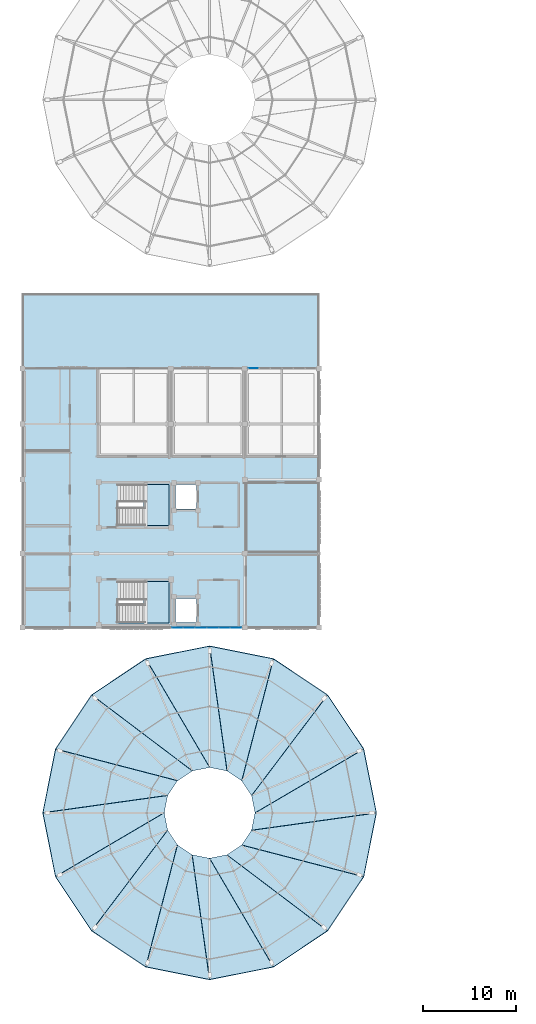
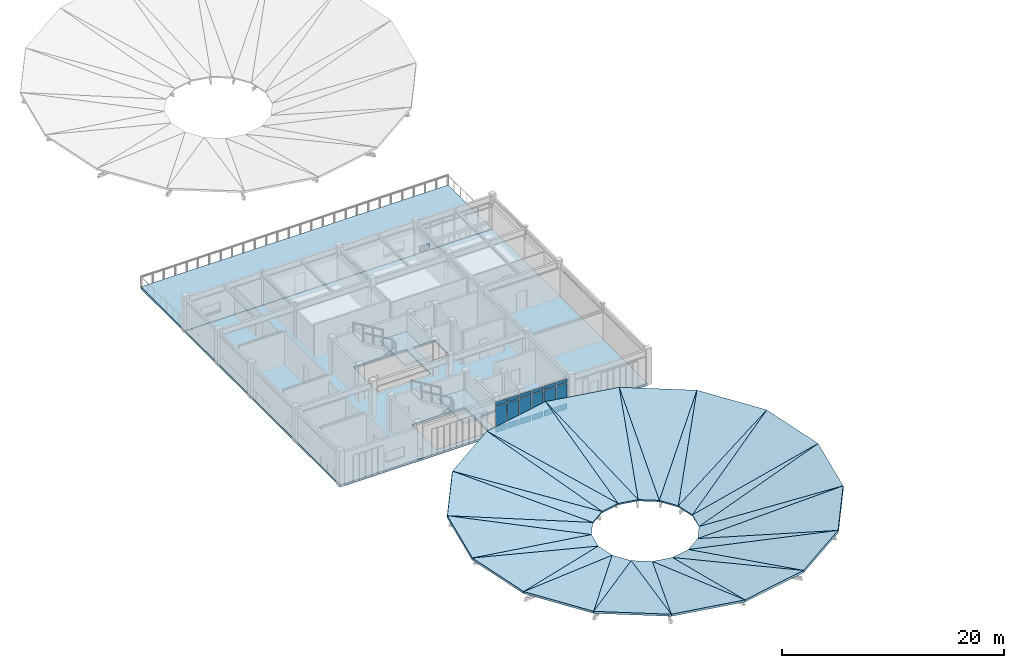
# One storey, part 20 of 31: 36 slabs, 19 plates, 4 elements without a shape of their own.
"""IFC4 building model written with IfcOpenShell, lengths in metres."""

from ifc_helpers import new_model, si_unit, direction, frame, origin, origin_2d, place, context, subcontext, project, spatial, polyline, rectangle, outline, extrude, material, layer, layer_set, type_object, element, aggregate, save


model = new_model("IFC4")

# Units and contexts
model_context = context("Model", 3, precision=1e-05, world=origin(), true_north=direction((0.0, 1.0)))
body_context = subcontext(model_context, "Body", "Model", "MODEL_VIEW")
ifc_project = project(units=[si_unit("LENGTHUNIT", "METRE"), si_unit("AREAUNIT", "SQUARE_METRE"), si_unit("VOLUMEUNIT", "CUBIC_METRE"), si_unit("PLANEANGLEUNIT", "RADIAN"), si_unit("MASSUNIT", "GRAM", prefix="KILO")], contexts=[model_context])

# Site, building, storey
site_placement = place(None, origin())
site = spatial("IfcSite", under=ifc_project, at=site_placement, CompositionType="ELEMENT")
building_placement = place(site_placement, origin())
building = spatial("IfcBuilding", under=site, at=building_placement, Name="Celadon Cloister-Ring School", CompositionType="ELEMENT")
storey_placement = place(building_placement, frame((0.0, 0.0, 16.5)))
storey = spatial("IfcBuildingStorey", under=building, at=storey_placement, Name="L04", CompositionType="ELEMENT", Elevation=16.5)

# Curtain wall, plate
ifc_material_1 = material(Name="Aluminium EN AW-6063 T6", Category="aluminium")
curtain_wall_type_1 = type_object("IfcCurtainWallType", Name="CW-16", PredefinedType="USERDEFINED", material=ifc_material_1)
curtain_wall_1_placement = place(storey_placement, origin())
curtain_wall_1 = element("IfcCurtainWall", 1, at=curtain_wall_1_placement, inside=storey, type_object=curtain_wall_type_1, Name="Curtain Wall 0207", ObjectType="CURTAIN WALL", PredefinedType="USERDEFINED")
ifc_material_2 = material(Name="Tempered laminated insulating glass", Category="glass")
ifc_layer_1 = layer(ifc_material_2, 0.02001953125)
ifc_layer_set_1 = layer_set([ifc_layer_1], Name="Tempered laminated insulating glass")
plate_type = type_object("IfcPlateType", Name="CPN-01", PredefinedType="CURTAIN_PANEL", material=ifc_layer_set_1)
plate_1_placement = place(storey_placement, frame((24.92333984375, 68.0, 0.10498046875), z_axis=(0.0, 0.0, 1.0), x_axis=(1.0, 0.0, 0.0)))
plate_1 = element("IfcPlate", 2, at=plate_1_placement, type_object=plate_type, Name="CW-16 panel 1.1", PredefinedType="CURTAIN_PANEL", context=body_context, shape_type="SweptSolid", body=[
    extrude(rectangle(XDim=1.07666015625, YDim=0.02001953125, at=origin_2d()), origin(), (0.0, 0.0, 1.0), 0.642578125),
])
aggregate(curtain_wall_1, [plate_1])

# Curtain wall, plates
ifc_material_3 = material(Name="Aluminium EN AW-6063 T6", Category="aluminium")
curtain_wall_type_2 = type_object("IfcCurtainWallType", Name="CW-17", PredefinedType="USERDEFINED", material=ifc_material_3)
curtain_wall_2_placement = place(storey_placement, origin())
curtain_wall_2 = element("IfcCurtainWall", 3, at=curtain_wall_2_placement, inside=storey, type_object=curtain_wall_type_2, Name="Curtain Wall 0208", ObjectType="CURTAIN WALL", PredefinedType="USERDEFINED")
plate_2_placement = place(storey_placement, frame((23.058837890625, 40.0, 0.10498046875), z_axis=(0.0, 0.0, 1.0), x_axis=(-1.0, 0.0, 0.0)))
plate_2 = element("IfcPlate", 4, at=plate_2_placement, type_object=plate_type, Name="CW-17 panel 1.1", PredefinedType="CURTAIN_PANEL", context=body_context, shape_type="SweptSolid", body=[
    extrude(rectangle(XDim=1.112548828125, YDim=0.02001953125, at=origin_2d()), origin(), (0.0, 0.0, 1.0), 0.642578125),
])
plate_3_placement = place(storey_placement, frame((23.058837890625, 40.0, 0.8525390625), z_axis=(0.0, 0.0, 1.0), x_axis=(-1.0, 0.0, 0.0)))
plate_3 = element("IfcPlate", 5, at=plate_3_placement, type_object=plate_type, Name="CW-17 panel 1.2", PredefinedType="CURTAIN_PANEL", context=body_context, shape_type="SweptSolid", body=[
    extrude(rectangle(XDim=1.112548828125, YDim=0.02001953125, at=origin_2d()), origin(), (0.0, 0.0, 1.0), 2.094970703125),
])
plate_4_placement = place(storey_placement, frame((23.058837890625, 40.0, 3.052490234375), z_axis=(0.0, 0.0, 1.0), x_axis=(-1.0, 0.0, 0.0)))
plate_4 = element("IfcPlate", 6, at=plate_4_placement, type_object=plate_type, Name="CW-17 panel 1.3", PredefinedType="CURTAIN_PANEL", context=body_context, shape_type="SweptSolid", body=[
    extrude(rectangle(XDim=1.112548828125, YDim=0.02001953125, at=origin_2d()), origin(), (0.0, 0.0, 1.0), 0.392578125),
])
plate_5_placement = place(storey_placement, frame((21.808837890625, 40.0, 0.10498046875), z_axis=(0.0, 0.0, 1.0), x_axis=(-1.0, 0.0, 0.0)))
plate_5 = element("IfcPlate", 7, at=plate_5_placement, type_object=plate_type, Name="CW-17 panel 2.1", PredefinedType="CURTAIN_PANEL", context=body_context, shape_type="SweptSolid", body=[
    extrude(rectangle(XDim=1.16748046875, YDim=0.02001953125, at=origin_2d()), origin(), (0.0, 0.0, 1.0), 0.642578125),
])
plate_6_placement = place(storey_placement, frame((21.808837890625, 40.0, 0.8525390625), z_axis=(0.0, 0.0, 1.0), x_axis=(-1.0, 0.0, 0.0)))
plate_6 = element("IfcPlate", 8, at=plate_6_placement, type_object=plate_type, Name="CW-17 panel 2.2", PredefinedType="CURTAIN_PANEL", context=body_context, shape_type="SweptSolid", body=[
    extrude(rectangle(XDim=1.16748046875, YDim=0.02001953125, at=origin_2d()), origin(), (0.0, 0.0, 1.0), 2.094970703125),
])
plate_7_placement = place(storey_placement, frame((21.808837890625, 40.0, 3.052490234375), z_axis=(0.0, 0.0, 1.0), x_axis=(-1.0, 0.0, 0.0)))
plate_7 = element("IfcPlate", 9, at=plate_7_placement, type_object=plate_type, Name="CW-17 panel 2.3", PredefinedType="CURTAIN_PANEL", context=body_context, shape_type="SweptSolid", body=[
    extrude(rectangle(XDim=1.16748046875, YDim=0.02001953125, at=origin_2d()), origin(), (0.0, 0.0, 1.0), 0.392578125),
])
plate_8_placement = place(storey_placement, frame((20.53125, 40.0, 0.10498046875), z_axis=(0.0, 0.0, 1.0), x_axis=(-1.0, 0.0, 0.0)))
plate_8 = element("IfcPlate", 10, at=plate_8_placement, type_object=plate_type, Name="CW-17 panel 3.1", PredefinedType="CURTAIN_PANEL", context=body_context, shape_type="SweptSolid", body=[
    extrude(rectangle(XDim=1.16748046875, YDim=0.02001953125, at=origin_2d()), origin(), (0.0, 0.0, 1.0), 0.642578125),
])
plate_9_placement = place(storey_placement, frame((20.53125, 40.0, 0.8525390625), z_axis=(0.0, 0.0, 1.0), x_axis=(-1.0, 0.0, 0.0)))
plate_9 = element("IfcPlate", 11, at=plate_9_placement, type_object=plate_type, Name="CW-17 panel 3.2", PredefinedType="CURTAIN_PANEL", context=body_context, shape_type="SweptSolid", body=[
    extrude(rectangle(XDim=1.16748046875, YDim=0.02001953125, at=origin_2d()), origin(), (0.0, 0.0, 1.0), 2.094970703125),
])
plate_10_placement = place(storey_placement, frame((20.53125, 40.0, 3.052490234375), z_axis=(0.0, 0.0, 1.0), x_axis=(-1.0, 0.0, 0.0)))
plate_10 = element("IfcPlate", 12, at=plate_10_placement, type_object=plate_type, Name="CW-17 panel 3.3", PredefinedType="CURTAIN_PANEL", context=body_context, shape_type="SweptSolid", body=[
    extrude(rectangle(XDim=1.16748046875, YDim=0.02001953125, at=origin_2d()), origin(), (0.0, 0.0, 1.0), 0.392578125),
])
plate_11_placement = place(storey_placement, frame((19.253662109375, 40.0, 0.10498046875), z_axis=(0.0, 0.0, 1.0), x_axis=(-1.0, 0.0, 0.0)))
plate_11 = element("IfcPlate", 13, at=plate_11_placement, type_object=plate_type, Name="CW-17 panel 4.1", PredefinedType="CURTAIN_PANEL", context=body_context, shape_type="SweptSolid", body=[
    extrude(rectangle(XDim=1.16748046875, YDim=0.02001953125, at=origin_2d()), origin(), (0.0, 0.0, 1.0), 0.642578125),
])
plate_12_placement = place(storey_placement, frame((19.253662109375, 40.0, 0.8525390625), z_axis=(0.0, 0.0, 1.0), x_axis=(-1.0, 0.0, 0.0)))
plate_12 = element("IfcPlate", 14, at=plate_12_placement, type_object=plate_type, Name="CW-17 panel 4.2", PredefinedType="CURTAIN_PANEL", context=body_context, shape_type="SweptSolid", body=[
    extrude(rectangle(XDim=1.16748046875, YDim=0.02001953125, at=origin_2d()), origin(), (0.0, 0.0, 1.0), 2.094970703125),
])
plate_13_placement = place(storey_placement, frame((19.253662109375, 40.0, 3.052490234375), z_axis=(0.0, 0.0, 1.0), x_axis=(-1.0, 0.0, 0.0)))
plate_13 = element("IfcPlate", 15, at=plate_13_placement, type_object=plate_type, Name="CW-17 panel 4.3", PredefinedType="CURTAIN_PANEL", context=body_context, shape_type="SweptSolid", body=[
    extrude(rectangle(XDim=1.16748046875, YDim=0.02001953125, at=origin_2d()), origin(), (0.0, 0.0, 1.0), 0.392578125),
])
plate_14_placement = place(storey_placement, frame((17.976318359375, 40.0, 0.10498046875), z_axis=(0.0, 0.0, 1.0), x_axis=(-1.0, 0.0, 0.0)))
plate_14 = element("IfcPlate", 16, at=plate_14_placement, type_object=plate_type, Name="CW-17 panel 5.1", PredefinedType="CURTAIN_PANEL", context=body_context, shape_type="SweptSolid", body=[
    extrude(rectangle(XDim=1.16748046875, YDim=0.02001953125, at=origin_2d()), origin(), (0.0, 0.0, 1.0), 0.642578125),
])
plate_15_placement = place(storey_placement, frame((17.976318359375, 40.0, 0.8525390625), z_axis=(0.0, 0.0, 1.0), x_axis=(-1.0, 0.0, 0.0)))
plate_15 = element("IfcPlate", 17, at=plate_15_placement, type_object=plate_type, Name="CW-17 panel 5.2", PredefinedType="CURTAIN_PANEL", context=body_context, shape_type="SweptSolid", body=[
    extrude(rectangle(XDim=1.16748046875, YDim=0.02001953125, at=origin_2d()), origin(), (0.0, 0.0, 1.0), 2.094970703125),
])
plate_16_placement = place(storey_placement, frame((17.976318359375, 40.0, 3.052490234375), z_axis=(0.0, 0.0, 1.0), x_axis=(-1.0, 0.0, 0.0)))
plate_16 = element("IfcPlate", 18, at=plate_16_placement, type_object=plate_type, Name="CW-17 panel 5.3", PredefinedType="CURTAIN_PANEL", context=body_context, shape_type="SweptSolid", body=[
    extrude(rectangle(XDim=1.16748046875, YDim=0.02001953125, at=origin_2d()), origin(), (0.0, 0.0, 1.0), 0.392578125),
])
plate_17_placement = place(storey_placement, frame((16.726318359375, 40.0, 0.10498046875), z_axis=(0.0, 0.0, 1.0), x_axis=(-1.0, 0.0, 0.0)))
plate_17 = element("IfcPlate", 19, at=plate_17_placement, type_object=plate_type, Name="CW-17 panel 6.1", PredefinedType="CURTAIN_PANEL", context=body_context, shape_type="SweptSolid", body=[
    extrude(rectangle(XDim=1.112548828125, YDim=0.02001953125, at=origin_2d()), origin(), (0.0, 0.0, 1.0), 0.642578125),
])
plate_18_placement = place(storey_placement, frame((16.726318359375, 40.0, 0.8525390625), z_axis=(0.0, 0.0, 1.0), x_axis=(-1.0, 0.0, 0.0)))
plate_18 = element("IfcPlate", 20, at=plate_18_placement, type_object=plate_type, Name="CW-17 panel 6.2", PredefinedType="CURTAIN_PANEL", context=body_context, shape_type="SweptSolid", body=[
    extrude(rectangle(XDim=1.112548828125, YDim=0.02001953125, at=origin_2d()), origin(), (0.0, 0.0, 1.0), 2.094970703125),
])
plate_19_placement = place(storey_placement, frame((16.726318359375, 40.0, 3.052490234375), z_axis=(0.0, 0.0, 1.0), x_axis=(-1.0, 0.0, 0.0)))
plate_19 = element("IfcPlate", 21, at=plate_19_placement, type_object=plate_type, Name="CW-17 panel 6.3", PredefinedType="CURTAIN_PANEL", context=body_context, shape_type="SweptSolid", body=[
    extrude(rectangle(XDim=1.112548828125, YDim=0.02001953125, at=origin_2d()), origin(), (0.0, 0.0, 1.0), 0.392578125),
])
aggregate(curtain_wall_2, [plate_2, plate_3, plate_4, plate_5, plate_6, plate_7, plate_8, plate_9, plate_10, plate_11, plate_12, plate_13, plate_14, plate_15, plate_16, plate_17, plate_18, plate_19])

# Slab
ifc_material_4 = material(Name="Concrete C35/45", Category="concrete")
ifc_layer_2 = layer(ifc_material_4, 0.239990234375)
ifc_layer_set_2 = layer_set([ifc_layer_2], Name="Concrete C35/45")
slab_type_1 = type_object("IfcSlabType", Name="SL-FL3", PredefinedType="FLOOR", material=ifc_layer_set_2)
slab_1_placement = place(storey_placement, frame((0.0, 0.0, -0.239990234375)))
element("IfcSlab", 22, at=slab_1_placement, inside=storey, type_object=slab_type_1, Name="Science Wing L04 Slab 0074", PredefinedType="FLOOR", context=body_context, shape_type="SweptSolid", body=[
    extrude(outline(polyline([(0.0, 68.0), (32.0, 68.0), (32.0, 40.0), (0.0, 40.0), (0.0, 68.0)]), holes=[polyline([(16.530029296875, 43.169921875), (16.530029296875, 40.530029296875), (18.77001953125, 40.530029296875), (18.77001953125, 43.169921875), (16.530029296875, 43.169921875)]), polyline([(10.2900390625, 44.97998046875), (10.2900390625, 40.52001953125), (15.830078125, 40.52001953125), (15.830078125, 44.97998046875), (10.2900390625, 44.97998046875)]), polyline([(10.2900390625, 55.47998046875), (10.2900390625, 51.02001953125), (15.830078125, 51.02001953125), (15.830078125, 55.47998046875), (10.2900390625, 55.47998046875)]), polyline([(16.530029296875, 55.469970703125), (16.530029296875, 52.830078125), (18.77001953125, 52.830078125), (18.77001953125, 55.469970703125), (16.530029296875, 55.469970703125)])]), origin(), (0.0, 0.0, 1.0), 0.239990234375),
])

# Stair, slab
ifc_material_5 = material(Name="Concrete C35/45", Category="concrete")
stair_type_1 = type_object("IfcStairType", Name="ST-02", PredefinedType="HALF_TURN_STAIR", material=ifc_material_5)
stair_1_placement = place(storey_placement, origin())
stair_1 = element("IfcStair", 23, at=stair_1_placement, inside=storey, type_object=stair_type_1, Name="Exit Stair ST-V5A L04", PredefinedType="HALF_TURN_STAIR")
ifc_material_6 = material(Name="Concrete C35/45", Category="concrete")
ifc_layer_3 = layer(ifc_material_6, 0.280029296875)
ifc_layer_set_3 = layer_set([ifc_layer_3], Name="Concrete C35/45")
slab_type_2 = type_object("IfcSlabType", Name="SL-LD1", PredefinedType="LANDING", material=ifc_layer_set_3)
slab_2_placement = place(storey_placement, frame((0.0, 0.0, 1.719970703125)))
slab_2 = element("IfcSlab", 24, at=slab_2_placement, type_object=slab_type_2, Name="ST-02 landing 1", PredefinedType="LANDING", context=body_context, shape_type="SweptSolid", body=[
    extrude(outline(polyline([(13.080078125, 40.52001953125), (15.830078125, 40.52001953125), (15.830078125, 44.97998046875), (13.080078125, 44.97998046875), (13.080078125, 40.52001953125)])), origin(), (0.0, 0.0, 1.0), 0.280029296875),
])
aggregate(stair_1, [slab_2])

ifc_material_7 = material(Name="Concrete C35/45", Category="concrete")
stair_type_2 = type_object("IfcStairType", Name="ST-04", PredefinedType="HALF_TURN_STAIR", material=ifc_material_7)
stair_2_placement = place(storey_placement, origin())
stair_2 = element("IfcStair", 25, at=stair_2_placement, inside=storey, type_object=stair_type_2, Name="Exit Stair ST-V5B L04", PredefinedType="HALF_TURN_STAIR")
ifc_material_8 = material(Name="Concrete C35/45", Category="concrete")
ifc_layer_4 = layer(ifc_material_8, 0.300048828125)
ifc_layer_set_4 = layer_set([ifc_layer_4], Name="Concrete C35/45")
slab_type_3 = type_object("IfcSlabType", Name="SL-LD2", PredefinedType="LANDING", material=ifc_layer_set_4)
slab_3_placement = place(storey_placement, frame((0.0, 0.0, 1.699951171875)))
slab_3 = element("IfcSlab", 26, at=slab_3_placement, type_object=slab_type_3, Name="ST-04 landing 1", PredefinedType="LANDING", context=body_context, shape_type="SweptSolid", body=[
    extrude(outline(polyline([(13.080078125, 51.02001953125), (15.830078125, 51.02001953125), (15.830078125, 55.47998046875), (13.080078125, 55.47998046875), (13.080078125, 51.02001953125)])), origin(), (0.0, 0.0, 1.0), 0.300048828125),
])
aggregate(stair_2, [slab_3])

# Slabs
ifc_material_9 = material(Name="Concrete C35/45", Category="concrete")
ifc_layer_5 = layer(ifc_material_9, 0.199951171875)
ifc_layer_set_5 = layer_set([ifc_layer_5], Name="Concrete C35/45")
slab_type_4 = type_object("IfcSlabType", Name="SL-RF2", PredefinedType="ROOF", material=ifc_layer_set_5)
slab_4_placement = place(storey_placement, frame((25.10009765625, 20.0, 0.050048828125), z_axis=(-0.242249727938, -0.048178613528, 0.96901697122), x_axis=(0.970143563693, 0.0, 0.242531370807)))
element("IfcSlab", 27, at=slab_4_placement, inside=storey, type_object=slab_type_4, Name="V5a Conical Roof Inner Tri 0173", PredefinedType="ROOF", context=body_context, shape_type="SweptSolid", body=[
    extrude(outline(polyline([(0.0, 0.0), (13.503005128190239, 2.7755575615628914e-17), (12.174031608688175, 6.8959474663698535), (0.0, 0.0)])), origin(), (0.0, 0.0, -1.0), 0.199951171875),
])
slab_5_placement = place(storey_placement, frame((25.10009765625, 20.0, 0.050048828125), z_axis=(-0.242240131496, -0.048195692829, 0.96901852092), x_axis=(0.838366757438, 0.492295744237, 0.234064265168)))
element("IfcSlab", 28, at=slab_5_placement, inside=storey, type_object=slab_type_4, Name="V5a Conical Roof Outer Tri 0174", PredefinedType="ROOF", context=body_context, shape_type="SweptSolid", body=[
    extrude(outline(polyline([(0.0, 0.0), (13.99146658032215, 8.881784197001252e-16), (0.6103044214779192, 1.811716722910005), (0.0, 0.0)])), origin(), (0.0, 0.0, -1.0), 0.199951171875),
])
slab_6_placement = place(storey_placement, frame((24.72705078125, 21.875, 0.050048828125), z_axis=(-0.205367817039, -0.137218085353, 0.969017676194), x_axis=(0.896304625233, 0.371239417233, 0.242526934338)))
element("IfcSlab", 29, at=slab_6_placement, inside=storey, type_object=slab_type_4, Name="V5a Conical Roof Inner Tri 0175", PredefinedType="ROOF", context=body_context, shape_type="SweptSolid", body=[
    extrude(outline(polyline([(0.0, 0.0), (13.503252134406608, 1.1657341758564144e-15), (12.173853031509752, 6.896789539845793), (0.0, 0.0)])), origin(), (0.0, 0.0, -1.0), 0.199951171875),
])
slab_7_placement = place(storey_placement, frame((24.72705078125, 21.875, 0.050048828125), z_axis=(-0.205404925005, -0.137188918128, 0.969013940832), x_axis=(0.58612694281, 0.775674648438, 0.234059921135)))
element("IfcSlab", 30, at=slab_7_placement, inside=storey, type_object=slab_type_4, Name="V5a Conical Roof Outer Tri 0176", PredefinedType="ROOF", context=body_context, shape_type="SweptSolid", body=[
    extrude(outline(polyline([(0.0, 0.0), (13.991726254816648, -2.7755575615628914e-16), (0.6109171836068602, 1.8119129629892416), (0.0, 0.0)])), origin(), (0.0, 0.0, -1.0), 0.199951171875),
])
slab_8_placement = place(storey_placement, frame((23.6650390625, 23.465087890625, 0.050048828125), z_axis=(-0.137216373622, -0.205378104957, 0.969015738166), x_axis=(0.685994849534, 0.685994849534, 0.242532745886)))
element("IfcSlab", 31, at=slab_8_placement, inside=storey, type_object=slab_type_4, Name="V5a Conical Roof Inner Tri 0177", PredefinedType="ROOF", context=body_context, shape_type="SweptSolid", body=[
    extrude(outline(polyline([(0.0, 0.0), (13.50292857070712, 9.992007221626409e-16), (12.17331111210186, 6.896609317846788), (0.0, 0.0)])), origin(), (0.0, 0.0, -1.0), 0.199951171875),
])
slab_9_placement = place(storey_placement, frame((23.6650390625, 23.465087890625, 0.050048828125), z_axis=(-0.137178162198, -0.205388820781, 0.969018877068), x_axis=(0.244643769116, 0.940936231245, 0.234069295216)))
element("IfcSlab", 32, at=slab_9_placement, inside=storey, type_object=slab_type_4, Name="V5a Conical Roof Outer Tri 0178", PredefinedType="ROOF", context=body_context, shape_type="SweptSolid", body=[
    extrude(outline(polyline([(0.0, 0.0), (13.99116590978156, 2.220446049250313e-16), (0.6102802093901365, 1.8121276049719353), (0.0, 0.0)])), origin(), (0.0, 0.0, -1.0), 0.199951171875),
])
slab_10_placement = place(storey_placement, frame((22.074951171875, 24.527099609375, 0.050048828125), z_axis=(-0.048186901959, -0.242248229682, 0.969016933647), x_axis=(0.371245433368, 0.896301069904, 0.242530864618)))
element("IfcSlab", 33, at=slab_10_placement, inside=storey, type_object=slab_type_4, Name="V5a Conical Roof Inner Tri 0179", PredefinedType="ROOF", context=body_context, shape_type="SweptSolid", body=[
    extrude(outline(polyline([(0.0, 0.0), (13.503033310469212, -2.7755575615628914e-17), (12.173954744232965, 6.895975723722513), (0.0, 0.0)])), origin(), (0.0, 0.0, -1.0), 0.199951171875),
])
slab_11_placement = place(storey_placement, frame((22.074951171875, 24.527099609375, 0.050048828125), z_axis=(-0.048165245427, -0.242245635154, 0.969018658944), x_axis=(-0.13401076188, 0.962940611241, 0.234065151023)))
element("IfcSlab", 34, at=slab_11_placement, inside=storey, type_object=slab_type_4, Name="V5a Conical Roof Outer Tri 0180", PredefinedType="ROOF", context=body_context, shape_type="SweptSolid", body=[
    extrude(outline(polyline([(0.0, 0.0), (13.991413627536087, -6.661338147750939e-16), (0.6102570714357922, 1.8116824185049891), (0.0, 0.0)])), origin(), (0.0, 0.0, -1.0), 0.199951171875),
])
slab_12_placement = place(storey_placement, frame((20.199951171875, 24.89990234375, 0.050048828125), z_axis=(0.048186336792, -0.242245388437, 0.969017672041), x_axis=(0.0, 0.970144627184, 0.242527116722)))
element("IfcSlab", 35, at=slab_12_placement, inside=storey, type_object=slab_type_4, Name="V5a Conical Roof Inner Tri 0181", PredefinedType="ROOF", context=body_context, shape_type="SweptSolid", body=[
    extrude(outline(polyline([(0.0, 0.0), (13.50324197977604, -2.7755575615628914e-17), (12.174030151709973, 6.895950038502895), (0.0, 0.0)])), origin(), (0.0, 0.0, -1.0), 0.199951171875),
])
slab_13_placement = place(storey_placement, frame((20.199951171875, 24.89990234375, 0.050048828125), z_axis=(0.048167320766, -0.242256073007, 0.969015946361), x_axis=(-0.492295744237, 0.838366757438, 0.234064265168)))
element("IfcSlab", 36, at=slab_13_placement, inside=storey, type_object=slab_type_4, Name="V5a Conical Roof Outer Tri 0182", PredefinedType="ROOF", context=body_context, shape_type="SweptSolid", body=[
    extrude(outline(polyline([(0.0, 0.0), (13.99146658032215, 8.326672684688674e-16), (0.6105091008620595, 1.8115975040063608), (0.0, 0.0)])), origin(), (0.0, 0.0, -1.0), 0.199951171875),
])
slab_14_placement = place(storey_placement, frame((18.324951171875, 24.527099609375, 0.050048828125), z_axis=(0.137213444721, -0.205373721135, 0.969017082024), x_axis=(-0.371245433368, 0.896301069904, 0.242530864618)))
element("IfcSlab", 37, at=slab_14_placement, inside=storey, type_object=slab_type_4, Name="V5a Conical Roof Inner Tri 0183", PredefinedType="ROOF", context=body_context, shape_type="SweptSolid", body=[
    extrude(outline(polyline([(0.0, 0.0), (13.503033310469212, -4.996003610813204e-16), (12.173902039078333, 6.896703033526231), (0.0, 0.0)])), origin(), (0.0, 0.0, -1.0), 0.199951171875),
])
slab_15_placement = place(storey_placement, frame((18.324951171875, 24.527099609375, 0.050048828125), z_axis=(0.137200306651, -0.205390436072, 0.969015399581), x_axis=(-0.775674648438, 0.58612694281, 0.234059921135)))
element("IfcSlab", 38, at=slab_15_placement, inside=storey, type_object=slab_type_4, Name="V5a Conical Roof Outer Tri 0184", PredefinedType="ROOF", context=body_context, shape_type="SweptSolid", body=[
    extrude(outline(polyline([(0.0, 0.0), (13.991726254816648, 3.885780586188048e-16), (0.6107278099133938, 1.8117625623615203), (0.0, 0.0)])), origin(), (0.0, 0.0, -1.0), 0.199951171875),
])
slab_16_placement = place(storey_placement, frame((16.735107421875, 23.465087890625, 0.050048828125), z_axis=(0.205375057942, -0.137214337863, 0.96901667223), x_axis=(-0.686004421409, 0.685986341064, 0.242529737725)))
element("IfcSlab", 39, at=slab_16_placement, inside=storey, type_object=slab_type_4, Name="V5a Conical Roof Inner Tri 0185", PredefinedType="ROOF", context=body_context, shape_type="SweptSolid", body=[
    extrude(outline(polyline([(0.0, 0.0), (13.503096051086882, -9.43689570931383e-16), (12.173565630762715, 6.896626097641635), (0.0, 0.0)])), origin(), (0.0, 0.0, -1.0), 0.199951171875),
])
slab_17_placement = place(storey_placement, frame((16.735107421875, 23.465087890625, 0.050048828125), z_axis=(0.205385773438, -0.137176126893, 0.969019811087), x_axis=(-0.940938231604, 0.244639752375, 0.234065452094)))
element("IfcSlab", 40, at=slab_17_placement, inside=storey, type_object=slab_type_4, Name="V5a Conical Roof Outer Tri 0186", PredefinedType="ROOF", context=body_context, shape_type="SweptSolid", body=[
    extrude(outline(polyline([(0.0, 0.0), (13.99139563078533, 5.551115123125783e-16), (0.6102887207656729, 1.8121247385267907), (0.0, 0.0)])), origin(), (0.0, 0.0, -1.0), 0.199951171875),
])
slab_18_placement = place(storey_placement, frame((15.673095703125, 21.875, 0.050048828125), z_axis=(0.242243990452, -0.048186058711, 0.969018035351), x_axis=(-0.896304625233, 0.371239417233, 0.242526934338)))
element("IfcSlab", 41, at=slab_18_placement, inside=storey, type_object=slab_type_4, Name="V5a Conical Roof Inner Tri 0187", PredefinedType="ROOF", context=body_context, shape_type="SweptSolid", body=[
    extrude(outline(polyline([(0.0, 0.0), (13.503252134406608, -8.881784197001252e-16), (12.174219878160375, 6.895984649000887), (0.0, 0.0)])), origin(), (0.0, 0.0, -1.0), 0.199951171875),
])
slab_19_placement = place(storey_placement, frame((15.673095703125, 21.875, 0.050048828125), z_axis=(0.242245267003, -0.048196714581, 0.969017186286), x_axis=(-0.962941880566, -0.134008510179, 0.23406121817)))
element("IfcSlab", 42, at=slab_19_placement, inside=storey, type_object=slab_type_4, Name="V5a Conical Roof Outer Tri 0188", PredefinedType="ROOF", context=body_context, shape_type="SweptSolid", body=[
    extrude(outline(polyline([(0.0, 0.0), (13.991648720613703, 1.1102230246251565e-16), (0.6104884159378391, 1.811654731165123), (0.0, 0.0)])), origin(), (0.0, 0.0, -1.0), 0.199951171875),
])
slab_20_placement = place(storey_placement, frame((15.300048828125, 20.0, 0.050048828125), z_axis=(0.242245388437, 0.048186336792, 0.969017672041), x_axis=(-0.970144627184, 0.0, 0.242527116722)))
element("IfcSlab", 43, at=slab_20_placement, inside=storey, type_object=slab_type_4, Name="V5a Conical Roof Inner Tri 0189", PredefinedType="ROOF", context=body_context, shape_type="SweptSolid", body=[
    extrude(outline(polyline([(0.0, 0.0), (13.50324197977604, -2.7755575615628914e-17), (12.174030151709973, 6.895950038502895), (0.0, 0.0)])), origin(), (0.0, 0.0, -1.0), 0.199951171875),
])
slab_21_placement = place(storey_placement, frame((15.300048828125, 20.0, 0.050048828125), z_axis=(0.242240131496, 0.048195692829, 0.96901852092), x_axis=(-0.838366757438, -0.492295744237, 0.234064265168)))
element("IfcSlab", 44, at=slab_21_placement, inside=storey, type_object=slab_type_4, Name="V5a Conical Roof Outer Tri 0190", PredefinedType="ROOF", context=body_context, shape_type="SweptSolid", body=[
    extrude(outline(polyline([(0.0, 0.0), (13.99146658032215, 8.881784197001252e-16), (0.6103044214779192, 1.811716722910005), (0.0, 0.0)])), origin(), (0.0, 0.0, -1.0), 0.199951171875),
])
slab_22_placement = place(storey_placement, frame((15.673095703125, 18.125, 0.050048828125), z_axis=(0.205370674246, 0.137211409046, 0.969018016028), x_axis=(-0.896304625233, -0.371239417233, 0.242526934338)))
element("IfcSlab", 45, at=slab_22_placement, inside=storey, type_object=slab_type_4, Name="V5a Conical Roof Inner Tri 0191", PredefinedType="ROOF", context=body_context, shape_type="SweptSolid", body=[
    extrude(outline(polyline([(0.0, 0.0), (13.503252134406608, -5.828670879282072e-16), (12.174071855881147, 6.896693588700169), (0.0, 0.0)])), origin(), (0.0, 0.0, -1.0), 0.199951171875),
])
slab_23_placement = place(storey_placement, frame((15.673095703125, 18.125, 0.050048828125), z_axis=(0.2054018772, 0.137186882515, 0.969014875071), x_axis=(-0.586138397074, -0.775666715395, 0.234057527338)))
element("IfcSlab", 46, at=slab_23_placement, inside=storey, type_object=slab_type_4, Name="V5a Conical Roof Outer Tri 0192", PredefinedType="ROOF", context=body_context, shape_type="SweptSolid", body=[
    extrude(outline(polyline([(0.0, 0.0), (13.99186935361303, 1.4988010832439613e-15), (0.6108924048078537, 1.811921317392858), (0.0, 0.0)])), origin(), (0.0, 0.0, -1.0), 0.199951171875),
])
slab_24_placement = place(storey_placement, frame((16.735107421875, 16.534912109375, 0.050048828125), z_axis=(0.137215013493, 0.205376069188, 0.969016362234), x_axis=(-0.686004421409, -0.685986341064, 0.242529737725)))
element("IfcSlab", 47, at=slab_24_placement, inside=storey, type_object=slab_type_4, Name="V5a Conical Roof Inner Tri 0193", PredefinedType="ROOF", context=body_context, shape_type="SweptSolid", body=[
    extrude(outline(polyline([(0.0, 0.0), (13.503096051086882, 1.3877787807814457e-16), (12.173389493073143, 6.896592139514582), (0.0, 0.0)])), origin(), (0.0, 0.0, -1.0), 0.199951171875),
])
slab_25_placement = place(storey_placement, frame((16.735107421875, 16.534912109375, 0.050048828125), z_axis=(0.13719454436, 0.205381809856, 0.969018043784), x_axis=(-0.244660174268, -0.940932214325, 0.234068295958)))
element("IfcSlab", 48, at=slab_25_placement, inside=storey, type_object=slab_type_4, Name="V5a Conical Roof Outer Tri 0194", PredefinedType="ROOF", context=body_context, shape_type="SweptSolid", body=[
    extrude(outline(polyline([(0.0, 0.0), (13.991225639266844, 1.6653345369377348e-16), (0.6103095892286716, 1.8119034867983232), (0.0, 0.0)])), origin(), (0.0, 0.0, -1.0), 0.199951171875),
])
slab_26_placement = place(storey_placement, frame((18.324951171875, 15.472900390625, 0.050048828125), z_axis=(0.048186901959, 0.242248229682, 0.969016933647), x_axis=(-0.371245433368, -0.896301069904, 0.242530864618)))
element("IfcSlab", 49, at=slab_26_placement, inside=storey, type_object=slab_type_4, Name="V5a Conical Roof Inner Tri 0195", PredefinedType="ROOF", context=body_context, shape_type="SweptSolid", body=[
    extrude(outline(polyline([(0.0, 0.0), (13.503033310469212, -2.7755575615628914e-17), (12.173954744232965, 6.895975723722513), (0.0, 0.0)])), origin(), (0.0, 0.0, -1.0), 0.199951171875),
])
slab_27_placement = place(storey_placement, frame((18.324951171875, 15.472900390625, 0.050048828125), z_axis=(0.048165245427, 0.242245635154, 0.969018658944), x_axis=(0.13401076188, -0.962940611241, 0.234065151023)))
element("IfcSlab", 50, at=slab_27_placement, inside=storey, type_object=slab_type_4, Name="V5a Conical Roof Outer Tri 0196", PredefinedType="ROOF", context=body_context, shape_type="SweptSolid", body=[
    extrude(outline(polyline([(0.0, 0.0), (13.991413627536087, -6.661338147750939e-16), (0.6102570714357922, 1.8116824185049891), (0.0, 0.0)])), origin(), (0.0, 0.0, -1.0), 0.199951171875),
])
slab_28_placement = place(storey_placement, frame((20.199951171875, 15.10009765625, 0.050048828125), z_axis=(-0.048186336792, 0.242245388437, 0.969017672041), x_axis=(0.0, -0.970144627184, 0.242527116722)))
element("IfcSlab", 51, at=slab_28_placement, inside=storey, type_object=slab_type_4, Name="V5a Conical Roof Inner Tri 0197", PredefinedType="ROOF", context=body_context, shape_type="SweptSolid", body=[
    extrude(outline(polyline([(0.0, 0.0), (13.50324197977604, -2.7755575615628914e-17), (12.174030151709973, 6.895950038502895), (0.0, 0.0)])), origin(), (0.0, 0.0, -1.0), 0.199951171875),
])
slab_29_placement = place(storey_placement, frame((20.199951171875, 15.10009765625, 0.050048828125), z_axis=(-0.048167320766, 0.242256073007, 0.969015946361), x_axis=(0.492295744237, -0.838366757438, 0.234064265168)))
element("IfcSlab", 52, at=slab_29_placement, inside=storey, type_object=slab_type_4, Name="V5a Conical Roof Outer Tri 0198", PredefinedType="ROOF", context=body_context, shape_type="SweptSolid", body=[
    extrude(outline(polyline([(0.0, 0.0), (13.99146658032215, 8.326672684688674e-16), (0.6105091008620595, 1.8115975040063608), (0.0, 0.0)])), origin(), (0.0, 0.0, -1.0), 0.199951171875),
])
slab_30_placement = place(storey_placement, frame((22.074951171875, 15.472900390625, 0.050048828125), z_axis=(-0.137213444721, 0.205373721135, 0.969017082024), x_axis=(0.371245433368, -0.896301069904, 0.242530864618)))
element("IfcSlab", 53, at=slab_30_placement, inside=storey, type_object=slab_type_4, Name="V5a Conical Roof Inner Tri 0199", PredefinedType="ROOF", context=body_context, shape_type="SweptSolid", body=[
    extrude(outline(polyline([(0.0, 0.0), (13.503033310469212, -4.996003610813204e-16), (12.173902039078333, 6.896703033526231), (0.0, 0.0)])), origin(), (0.0, 0.0, -1.0), 0.199951171875),
])
slab_31_placement = place(storey_placement, frame((22.074951171875, 15.472900390625, 0.050048828125), z_axis=(-0.137188918128, 0.205404925005, 0.969013940832), x_axis=(0.775674648438, -0.58612694281, 0.234059921135)))
element("IfcSlab", 54, at=slab_31_placement, inside=storey, type_object=slab_type_4, Name="V5a Conical Roof Outer Tri 0200", PredefinedType="ROOF", context=body_context, shape_type="SweptSolid", body=[
    extrude(outline(polyline([(0.0, 0.0), (13.991726254816648, -2.7755575615628914e-16), (0.6109171836068602, 1.8119129629892416), (0.0, 0.0)])), origin(), (0.0, 0.0, -1.0), 0.199951171875),
])
slab_32_placement = place(storey_placement, frame((23.6650390625, 16.534912109375, 0.050048828125), z_axis=(-0.205373030194, 0.137221568563, 0.969016078086), x_axis=(0.685994849534, -0.685994849534, 0.242532745886)))
element("IfcSlab", 55, at=slab_32_placement, inside=storey, type_object=slab_type_4, Name="V5a Conical Roof Inner Tri 0201", PredefinedType="ROOF", context=body_context, shape_type="SweptSolid", body=[
    extrude(outline(polyline([(0.0, 0.0), (13.50292857070712, -5.551115123125783e-16), (12.17347859131317, 6.896779732889742), (0.0, 0.0)])), origin(), (0.0, 0.0, -1.0), 0.199951171875),
])
slab_33_placement = place(storey_placement, frame((23.6650390625, 16.534912109375, 0.050048828125), z_axis=(-0.205385773438, 0.137176126893, 0.969019811087), x_axis=(0.940938231604, -0.244639752375, 0.234065452094)))
element("IfcSlab", 56, at=slab_33_placement, inside=storey, type_object=slab_type_4, Name="V5a Conical Roof Outer Tri 0202", PredefinedType="ROOF", context=body_context, shape_type="SweptSolid", body=[
    extrude(outline(polyline([(0.0, 0.0), (13.99139563078533, 5.551115123125783e-16), (0.6102887207656729, 1.8121247385267907), (0.0, 0.0)])), origin(), (0.0, 0.0, -1.0), 0.199951171875),
])
slab_34_placement = place(storey_placement, frame((24.72705078125, 18.125, 0.050048828125), z_axis=(-0.242247175906, 0.04817810598, 0.969017634447), x_axis=(0.896304625233, -0.371239417233, 0.242526934338)))
element("IfcSlab", 57, at=slab_34_placement, inside=storey, type_object=slab_type_4, Name="V5a Conical Roof Inner Tri 0203", PredefinedType="ROOF", context=body_context, shape_type="SweptSolid", body=[
    extrude(outline(polyline([(0.0, 0.0), (13.503252134406608, 5.551115123125783e-17), (12.17400105378898, 6.895893969540671), (0.0, 0.0)])), origin(), (0.0, 0.0, -1.0), 0.199951171875),
])
slab_35_placement = place(storey_placement, frame((24.72705078125, 18.125, 0.050048828125), z_axis=(-0.242249506273, 0.048197558019, 0.969016084547), x_axis=(0.962940611241, 0.13401076188, 0.234065151023)))
element("IfcSlab", 58, at=slab_35_placement, inside=storey, type_object=slab_type_4, Name="V5a Conical Roof Outer Tri 0204", PredefinedType="ROOF", context=body_context, shape_type="SweptSolid", body=[
    extrude(outline(polyline([(0.0, 0.0), (13.991413627536087, -3.3306690738754696e-16), (0.6104921643584584, 1.8116534680242222), (0.0, 0.0)])), origin(), (0.0, 0.0, -1.0), 0.199951171875),
])
ifc_material_10 = material(Name="Concrete C35/45", Category="concrete")
ifc_layer_6 = layer(ifc_material_10, 0.239990234375)
ifc_layer_set_6 = layer_set([ifc_layer_6], Name="Concrete C35/45")
slab_type_5 = type_object("IfcSlabType", Name="SL-TR2", PredefinedType="FLOOR", material=ifc_layer_set_6)
slab_36_placement = place(storey_placement, frame((0.0, 0.0, -0.239990234375)))
element("IfcSlab", 59, at=slab_36_placement, inside=storey, type_object=slab_type_5, Name="Science Wing L04 Terrace 0076", PredefinedType="FLOOR", context=body_context, shape_type="SweptSolid", body=[
    extrude(outline(polyline([(0.0, 68.0), (32.0, 68.0), (32.0, 76.0), (0.0, 76.0), (0.0, 68.0)])), origin(), (0.0, 0.0, 1.0), 0.239990234375),
])

save(model, "model.ifc")
